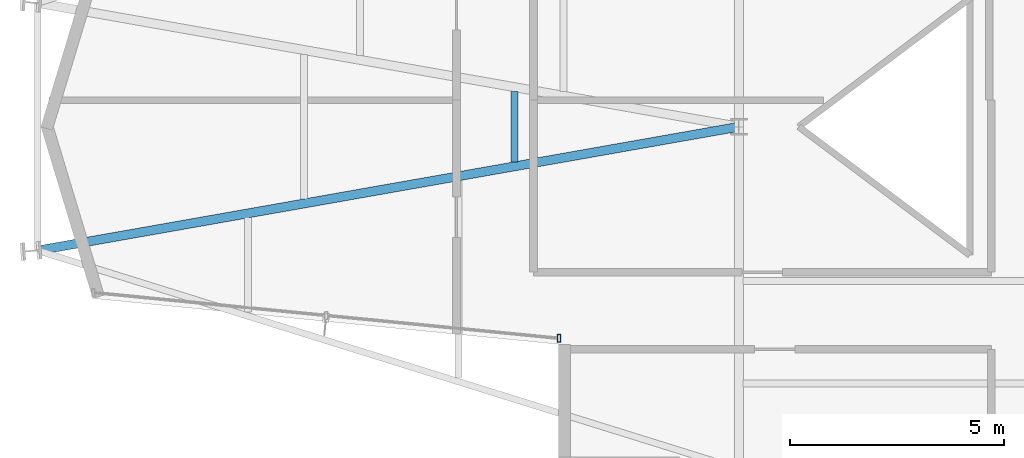
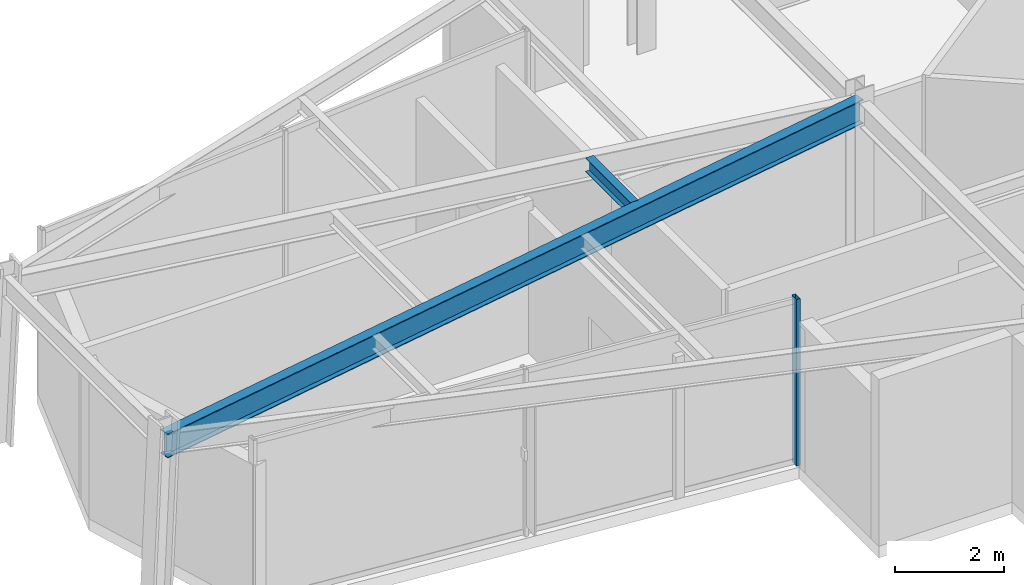
# One storey, part 4 of 23: 2 beams, 1 member, 1 element without a shape of its own.
"""IFC4 building model written with IfcOpenShell, lengths in metres."""

from ifc_helpers import new_model, si_unit, direction, frame, origin, origin_2d, place, context, subcontext, project, spatial, hollow_rectangle, i_section, extrude, material, layer, layer_set, material_profile, profile_set, type_object, element, aggregate, save


model = new_model("IFC4")

# Units and contexts
model_context = context("Model", 3, precision=1e-05, world=origin(), true_north=direction((0.0, 1.0)))
body_context = subcontext(model_context, "Body", "Model", "MODEL_VIEW")
ifc_project = project(units=[si_unit("LENGTHUNIT", "METRE"), si_unit("AREAUNIT", "SQUARE_METRE"), si_unit("VOLUMEUNIT", "CUBIC_METRE"), si_unit("PLANEANGLEUNIT", "RADIAN"), si_unit("MASSUNIT", "GRAM", prefix="KILO")], contexts=[model_context])

# Site, building, storey
site_placement = place(None, origin())
site = spatial("IfcSite", under=ifc_project, at=site_placement, CompositionType="ELEMENT")
building_placement = place(site_placement, origin())
building = spatial("IfcBuilding", under=site, at=building_placement, Name="Veymaron Broadcast Tower", CompositionType="ELEMENT")
storey_placement = place(building_placement, frame((0.0, 0.0, 252.60009765625)))
storey = spatial("IfcBuildingStorey", under=building, at=storey_placement, Name="L59", CompositionType="ELEMENT", Elevation=252.60009765625)

# Beams
ifc_material_1 = material(Name="Structural steel ASTM A992 Gr 50", Category="steel")
ifc_material_profile_1 = material_profile(ifc_material_1, i_section(OverallWidth=0.2099609375, OverallDepth=0.537109375, WebThickness=0.010986328125, FlangeThickness=0.017333984375, at=origin_2d()), Name="W530X101")
ifc_profile_set_1 = profile_set([ifc_material_profile_1], Name="Structural steel ASTM A992 Gr 50")
beam_type_1 = type_object("IfcBeamType", Name="BM-FG3", PredefinedType="BEAM", material=ifc_profile_set_1)
beam_1_placement = place(storey_placement, frame((14.810302734375, 21.10791015625, 3.46142578125), z_axis=(0.984785626246, 0.173773618074, 0.0), x_axis=(-0.173773618074, 0.984785626246, 0.0)))
element("IfcBeam", 1, at=beam_1_placement, inside=storey, type_object=beam_type_1, Name="L59 primary structural floor girder", PredefinedType="BEAM", context=body_context, shape_type="SweptSolid", body=[
    extrude(i_section(OverallWidth=0.2099609375, OverallDepth=0.537109375, WebThickness=0.010986328125, FlangeThickness=0.017333984375, at=origin_2d()), origin(), (0.0, 0.0, 1.0), 16.642822265625),
])
ifc_material_profile_2 = material_profile(ifc_material_1, i_section(OverallWidth=0.1650390625, OverallDepth=0.31005859375, WebThickness=0.005859375, FlangeThickness=0.009765625, at=origin_2d()), Name="W310X39")
ifc_profile_set_2 = profile_set([ifc_material_profile_2], Name="Structural steel ASTM A992 Gr 50")
beam_type_2 = type_object("IfcBeamType", Name="BM-JS3", PredefinedType="JOIST", material=ifc_profile_set_2)
beam_2_placement = place(storey_placement, frame((25.955322265625, 23.174560546875, 3.574951171875), z_axis=(0.0, 1.0, 0.0), x_axis=(-1.0, 0.0, 0.0)))
element("IfcBeam", 2, at=beam_2_placement, inside=storey, type_object=beam_type_2, Name="L59 Arm-A secondary joist 2M", PredefinedType="JOIST", context=body_context, shape_type="SweptSolid", body=[
    extrude(i_section(OverallWidth=0.1650390625, OverallDepth=0.31005859375, WebThickness=0.005859375, FlangeThickness=0.009765625, at=origin_2d()), origin(), (0.0, 0.0, 1.0), 1.65087890625),
])

# Curtain wall, member
ifc_material_2 = material(Name="Anodised aluminium AA 6063-T6 and laminated low-E dark glass", Category="aluminium")
ifc_layer = layer(ifc_material_2, 0.179931640625)
ifc_layer_set = layer_set([ifc_layer], Name="Anodised aluminium AA 6063-T6 and laminated low-E dark glass")
curtain_wall_type = type_object("IfcCurtainWallType", Name="CW-SYS-05", PredefinedType="NOTDEFINED", material=ifc_layer_set)
curtain_wall_placement = place(storey_placement, origin())
curtain_wall = element("IfcCurtainWall", 3, at=curtain_wall_placement, inside=storey, type_object=curtain_wall_type, Name="L59 dark-glass curtain wall CW-L59-E14-1", PredefinedType="NOTDEFINED")
ifc_material_3 = material(Name="Anodised aluminium AA 6063-T6", Category="aluminium")
ifc_material_profile_3 = material_profile(ifc_material_3, hollow_rectangle(XDim=0.074951171875, YDim=0.179931640625, WallThickness=0.0048828125, at=origin_2d()), Name="AL180X75X5")
ifc_profile_set_3 = profile_set([ifc_material_profile_3], Name="Anodised aluminium AA 6063-T6")
member_type = type_object("IfcMemberType", Name="CW-MUL-02", PredefinedType="MULLION", material=ifc_profile_set_3)
member_placement = place(storey_placement, frame((26.997802734375, 19.05615234375, 0.0), z_axis=(0.0, 0.0, 1.0), x_axis=(1.0, 0.0, 0.0)))
member = element("IfcMember", 4, at=member_placement, type_object=member_type, Name="CW-L59-E14-1 mullion 2", PredefinedType="MULLION", context=body_context, shape_type="SweptSolid", body=[
    extrude(hollow_rectangle(XDim=0.074951171875, YDim=0.179931640625, WallThickness=0.0048828125, at=origin_2d()), origin(), (0.0, 0.0, 1.0), 3.72998046875),
])
aggregate(curtain_wall, [member])

save(model, "model.ifc")
